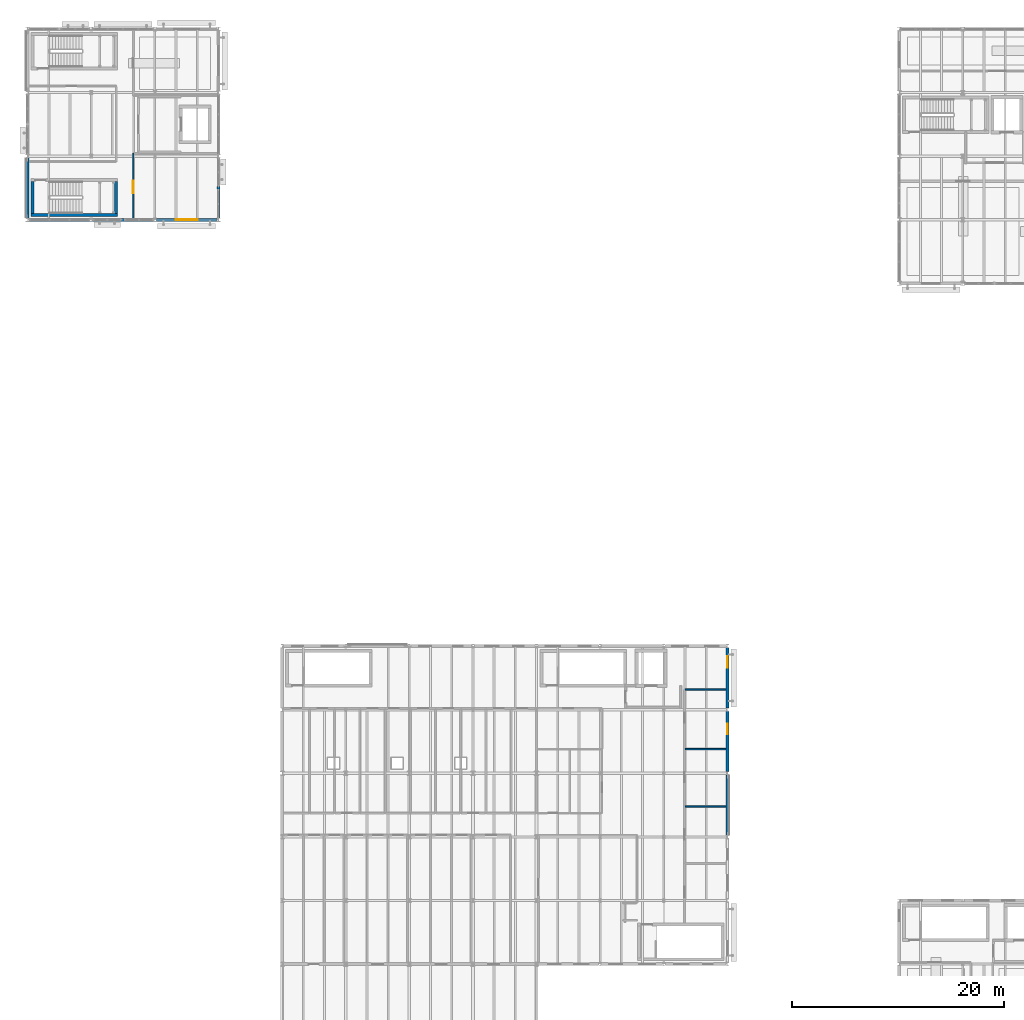
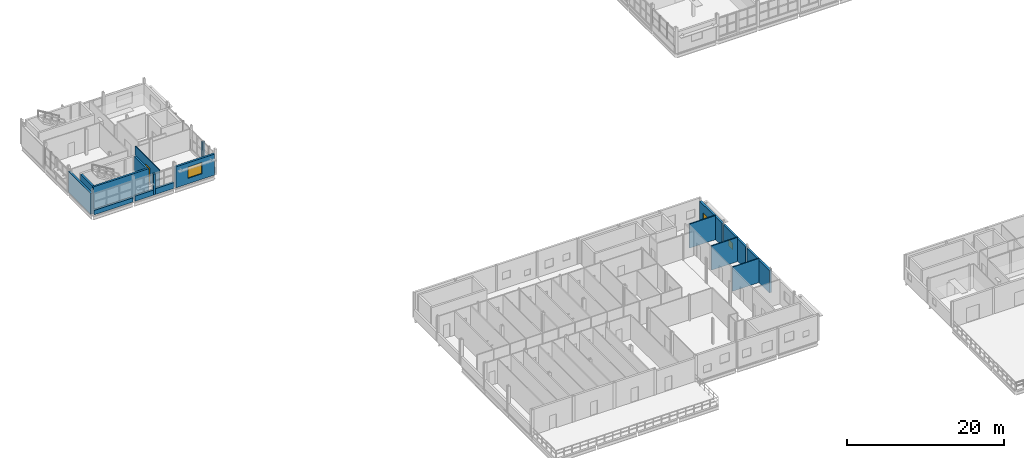
# One storey, part 36 of 45: 18 walls, 3 windows, 1 door, 4 openings.
"""IFC4 building model written with IfcOpenShell, lengths in metres."""

from ifc_helpers import new_model, si_unit, direction, frame, frame_2d, origin, place, context, subcontext, project, spatial, rectangle, extrude, material, layer, layer_set, type_object, element, fill, save


model = new_model("IFC4")

# Units and contexts
model_context = context("Model", 3, precision=1e-05, world=origin(), true_north=direction((0.0, 1.0)))
body_context = subcontext(model_context, "Body", "Model", "MODEL_VIEW")
ifc_project = project(units=[si_unit("LENGTHUNIT", "METRE"), si_unit("AREAUNIT", "SQUARE_METRE"), si_unit("VOLUMEUNIT", "CUBIC_METRE"), si_unit("PLANEANGLEUNIT", "RADIAN"), si_unit("MASSUNIT", "GRAM", prefix="KILO")], contexts=[model_context])

# Site, building, storey
site_placement = place(None, origin())
site = spatial("IfcSite", under=ifc_project, at=site_placement, CompositionType="ELEMENT")
building_placement = place(site_placement, origin())
building = spatial("IfcBuilding", under=site, at=building_placement, Name="Siltcreek Boulevard Central Fire Station", CompositionType="ELEMENT")
storey_placement = place(building_placement, frame((0.0, 0.0, 10.0)))
storey = spatial("IfcBuildingStorey", under=building, at=storey_placement, Name="L03", CompositionType="ELEMENT", Elevation=10.0)

# Walls
ifc_material_1 = material(Name="Concrete C40/50", Category="concrete")
ifc_layer_1 = layer(ifc_material_1, 0.280029296875, Name="Concrete C40/50")
ifc_layer_set_1 = layer_set([ifc_layer_1], Name="Concrete C40/50")
wall_type_1 = type_object("IfcWallType", Name="CW_SHEAR280", PredefinedType="SHEAR", material=ifc_layer_set_1)
wall_1_placement = place(storey_placement, frame((42.320068359375, 94.659912109375, 0.0), z_axis=(0.0, 0.0, 1.0), x_axis=(1.0, 0.0, 0.0)))
element("IfcWall", 1, at=wall_1_placement, inside=storey, type_object=wall_type_1, Name="L03 ST-V3A stair enclosure south shear wall", PredefinedType="SHEAR", context=body_context, shape_type="SweptSolid", body=[
    extrude(rectangle(XDim=8.159912109375, YDim=0.280029296875, at=frame_2d((4.080078125, 0.0))), origin(), (0.0, 0.0, 1.0), 4.0),
])
for number, where, z_axis, x_axis, name in (
    (2, (42.4599609375, 97.800048828125, 0.0), (0.0, 0.0, 1.0), (0.0, -1.0, 0.0), "L03 ST-V3A stair enclosure west shear wall"),
    (3, (50.340087890625, 94.800048828125, 0.0), (0.0, 0.0, 1.0), (0.0, 1.0, 0.0), "L03 ST-V3A stair enclosure east shear wall"),
):
    element("IfcWall", number, at=place(storey_placement, frame(where, z_axis=z_axis, x_axis=x_axis)), inside=storey, type_object=wall_type_1, Name=name, PredefinedType="SHEAR", context=body_context, shape_type="SweptSolid", body=[
        extrude(rectangle(XDim=3.0, YDim=0.280029296875, at=frame_2d((1.5, 0.0))), origin(), (0.0, 0.0, 1.0), 4.0),
    ])
ifc_material_2 = material(Name="White ribbed aluminum spandrel wall", Category="aluminium")
ifc_layer_2 = layer(ifc_material_2, 0.2900390625, Name="White ribbed aluminum spandrel wall")
ifc_layer_set_2 = layer_set([ifc_layer_2], Name="White ribbed aluminum spandrel wall")
wall_type_2 = type_object("IfcWallType", Name="EW_METAL290", PredefinedType="STANDARD", material=ifc_layer_set_2)
wall_2_placement = place(storey_placement, frame((108.0, 36.14501953125, 0.0), z_axis=(0.0, 0.0, 1.0), x_axis=(0.0, 1.0, 0.0)))
element("IfcWall", 4, at=wall_2_placement, inside=storey, type_object=wall_type_2, Name="L03 V2 exterior insulated rainscreen wall WL-EXT-L03-0102", PredefinedType="STANDARD", context=body_context, shape_type="SweptSolid", body=[
    extrude(rectangle(XDim=5.7099609375, YDim=0.2900390625, at=frame_2d((2.85498046875, 0.0))), origin(), (0.0, 0.0, 1.0), 3.506103515625),
])

# Wall, opening, window
wall_3_placement = place(storey_placement, frame((108.0, 42.14501953125, 0.0), z_axis=(0.0, 0.0, 1.0), x_axis=(0.0, 1.0, 0.0)))
wall_3 = element("IfcWall", 5, at=wall_3_placement, inside=storey, type_object=wall_type_2, Name="L03 V2 exterior insulated rainscreen wall WL-EXT-L03-0103", PredefinedType="STANDARD", context=body_context, shape_type="SweptSolid", body=[
    extrude(rectangle(XDim=5.7099609375, YDim=0.2900390625, at=frame_2d((2.85498046875, 0.0))), origin(), (0.0, 0.0, 1.0), 3.506103515625),
])
opening_1_placement = place(wall_3_placement, frame((3.525390625, 0.0, 0.860107421875)))
opening_1 = element("IfcOpeningElement", 6, at=opening_1_placement, cuts=wall_3, Name="Opening WN38", PredefinedType="OPENING", context=body_context, shape_type="SweptSolid", body=[
    extrude(rectangle(XDim=1.02001953125, YDim=1.02001953125, at=frame_2d((0.510009765625, 0.510009765625))), frame((0.0, 0.155029296875, 0.0), z_axis=(0.0, -1.0, 0.0), x_axis=(1.0, 0.0, 0.0)), (0.0, 0.0, 1.0), 0.31005859375),
])
ifc_material_3 = material(Name="Thermally broken aluminum frame with low-E insulated glass", Category="aluminium")
window_type_1 = type_object("IfcWindowType", Name="WN_SQ_102X102", PartitioningType="SINGLE_PANEL", PredefinedType="WINDOW", material=ifc_material_3)
window_1_placement = place(opening_1_placement, origin())
window_1 = element("IfcWindow", 7, at=window_1_placement, inside=storey, type_object=window_type_1, Name="L03 V2 square exterior window WN-0080", OverallHeight=1.02001953125, OverallWidth=1.02001953125, PartitioningType="SINGLE_PANEL", PredefinedType="WINDOW", context=body_context, shape_type="SweptSolid", body=[
    extrude(rectangle(XDim=1.02001953125, YDim=1.02001953125, at=frame_2d((0.510009765625, 0.510009765625))), frame((0.0, 0.030029296875, 0.0), z_axis=(0.0, -1.0, 0.0), x_axis=(1.0, 0.0, 0.0)), (0.0, 0.0, 1.0), 0.06005859375),
])
fill(opening_1, window_1)

wall_4_placement = place(storey_placement, frame((108.0, 48.14501953125, 0.0), z_axis=(0.0, 0.0, 1.0), x_axis=(0.0, 1.0, 0.0)))
wall_4 = element("IfcWall", 8, at=wall_4_placement, inside=storey, type_object=wall_type_2, Name="L03 V2 exterior insulated rainscreen wall WL-EXT-L03-0104", PredefinedType="STANDARD", context=body_context, shape_type="SweptSolid", body=[
    extrude(rectangle(XDim=5.7099609375, YDim=0.2900390625, at=frame_2d((2.85498046875, 0.0))), origin(), (0.0, 0.0, 1.0), 3.506103515625),
])
opening_2_placement = place(wall_4_placement, frame((3.816162109375, 0.0, 1.179931640625)))
opening_2 = element("IfcOpeningElement", 9, at=opening_2_placement, cuts=wall_4, Name="Opening WN05", PredefinedType="OPENING", context=body_context, shape_type="SweptSolid", body=[
    extrude(rectangle(XDim=1.080078125, YDim=1.080078125, at=frame_2d((0.5400390625, 0.5400390625))), frame((0.0, 0.155029296875, 0.0), z_axis=(0.0, -1.0, 0.0), x_axis=(1.0, 0.0, 0.0)), (0.0, 0.0, 1.0), 0.31005859375),
])
window_type_2 = type_object("IfcWindowType", Name="WN_SQ_108X108", PartitioningType="SINGLE_PANEL", PredefinedType="WINDOW", material=ifc_material_3)
window_2_placement = place(opening_2_placement, origin())
window_2 = element("IfcWindow", 10, at=window_2_placement, inside=storey, type_object=window_type_2, Name="L03 V2 square exterior window WN-0081", OverallHeight=1.080078125, OverallWidth=1.080078125, PartitioningType="SINGLE_PANEL", PredefinedType="WINDOW", context=body_context, shape_type="SweptSolid", body=[
    extrude(rectangle(XDim=1.080078125, YDim=1.080078125, at=frame_2d((0.5400390625, 0.5400390625))), frame((0.0, 0.030029296875, 0.0), z_axis=(0.0, -1.0, 0.0), x_axis=(1.0, 0.0, 0.0)), (0.0, 0.0, 1.0), 0.06005859375),
])
fill(opening_2, window_2)

# Walls
wall_5_placement = place(storey_placement, frame((42.14501953125, 94.199951171875, 0.0), z_axis=(0.0, 0.0, 1.0), x_axis=(1.0, 0.0, 0.0)))
element("IfcWall", 11, at=wall_5_placement, inside=storey, type_object=wall_type_2, Name="L03 V3 curtain-wall sill spandrel 0143", PredefinedType="STANDARD", context=body_context, shape_type="SweptSolid", body=[
    extrude(rectangle(XDim=5.7099609375, YDim=0.2900390625, at=frame_2d((2.85498046875, 0.0))), origin(), (0.0, 0.0, 1.0), 0.679931640625),
])
wall_6_placement = place(storey_placement, frame((50.860107421875, 94.199951171875, 0.0), z_axis=(0.0, 0.0, 1.0), x_axis=(1.0, 0.0, 0.0)))
element("IfcWall", 12, at=wall_6_placement, inside=storey, type_object=wall_type_2, Name="L03 V3 facade pier 0144", PredefinedType="STANDARD", context=body_context, shape_type="SweptSolid", body=[
    extrude(rectangle(XDim=0.27978515625, YDim=0.2900390625, at=frame_2d((0.139892578125, 0.0))), origin(), (0.0, 0.0, 1.0), 3.2490234375),
])
wall_7_placement = place(storey_placement, frame((48.14501953125, 94.199951171875, 0.0), z_axis=(0.0, 0.0, 1.0), x_axis=(1.0, 0.0, 0.0)))
element("IfcWall", 13, at=wall_7_placement, inside=storey, type_object=wall_type_2, Name="L03 V3 curtain-wall sill spandrel 0145", PredefinedType="STANDARD", context=body_context, shape_type="SweptSolid", body=[
    extrude(rectangle(XDim=2.715087890625, YDim=0.2900390625, at=frame_2d((1.357421875, 0.0))), origin(), (0.0, 0.0, 1.0), 0.800048828125),
])
wall_8_placement = place(storey_placement, frame((51.139892578125, 94.199951171875, 0.0), z_axis=(0.0, 0.0, 1.0), x_axis=(1.0, 0.0, 0.0)))
element("IfcWall", 14, at=wall_8_placement, inside=storey, type_object=wall_type_2, Name="L03 V3 curtain-wall sill spandrel 0146", PredefinedType="STANDARD", context=body_context, shape_type="SweptSolid", body=[
    extrude(rectangle(XDim=2.715087890625, YDim=0.2900390625, at=frame_2d((1.357421875, 0.0))), origin(), (0.0, 0.0, 1.0), 0.919921875),
])

# Wall, opening, window
wall_9_placement = place(storey_placement, frame((54.14501953125, 94.199951171875, 0.0), z_axis=(0.0, 0.0, 1.0), x_axis=(1.0, 0.0, 0.0)))
wall_9 = element("IfcWall", 15, at=wall_9_placement, inside=storey, type_object=wall_type_2, Name="L03 V3 exterior insulated rainscreen wall WL-EXT-L03-0147", PredefinedType="STANDARD", context=body_context, shape_type="SweptSolid", body=[
    extrude(rectangle(XDim=5.7099609375, YDim=0.2900390625, at=frame_2d((2.85498046875, 0.0))), origin(), (0.0, 0.0, 1.0), 3.2490234375),
])
opening_3_placement = place(wall_9_placement, frame((1.830078125, 0.0, 0.85009765625)))
opening_3 = element("IfcOpeningElement", 16, at=opening_3_placement, cuts=wall_9, Name="Opening WN21", PredefinedType="OPENING", context=body_context, shape_type="SweptSolid", body=[
    extrude(rectangle(XDim=2.050048828125, YDim=1.75, at=frame_2d((1.02490234375, 0.875))), frame((0.0, 0.155029296875, 0.0), z_axis=(0.0, -1.0, 0.0), x_axis=(1.0, 0.0, 0.0)), (0.0, 0.0, 1.0), 0.31005859375),
])
window_type_3 = type_object("IfcWindowType", Name="WN_PB_205X175", PartitioningType="SINGLE_PANEL", PredefinedType="WINDOW", material=ifc_material_3)
window_3_placement = place(opening_3_placement, origin())
window_3 = element("IfcWindow", 17, at=window_3_placement, inside=storey, type_object=window_type_3, Name="L03 V3 exterior window WN-0088", OverallHeight=1.75, OverallWidth=2.050048828125, PartitioningType="SINGLE_PANEL", PredefinedType="WINDOW", context=body_context, shape_type="SweptSolid", body=[
    extrude(rectangle(XDim=2.050048828125, YDim=1.75, at=frame_2d((1.02490234375, 0.875))), frame((0.0, 0.030029296875, 0.0), z_axis=(0.0, -1.0, 0.0), x_axis=(1.0, 0.0, 0.0)), (0.0, 0.0, 1.0), 0.06005859375),
])
fill(opening_3, window_3)

# Walls
wall_10_placement = place(storey_placement, frame((42.0, 100.054931640625, 0.0), z_axis=(0.0, 0.0, 1.0), x_axis=(0.0, -1.0, 0.0)))
element("IfcWall", 18, at=wall_10_placement, inside=storey, type_object=wall_type_2, Name="L03 V3 exterior insulated rainscreen wall WL-EXT-L03-0153", PredefinedType="STANDARD", context=body_context, shape_type="SweptSolid", body=[
    extrude(rectangle(XDim=5.7099609375, YDim=0.2900390625, at=frame_2d((2.85498046875, 0.0))), origin(), (0.0, 0.0, 1.0), 3.2529296875),
])
wall_11_placement = place(storey_placement, frame((60.0, 97.06005859375, 0.0), z_axis=(0.0, 0.0, 1.0), x_axis=(0.0, 1.0, 0.0)))
element("IfcWall", 19, at=wall_11_placement, inside=storey, type_object=wall_type_2, Name="L03 V3 facade pier 0158", PredefinedType="STANDARD", context=body_context, shape_type="SweptSolid", body=[
    extrude(rectangle(XDim=0.280029296875, YDim=0.2900390625, at=frame_2d((0.14013671875, 0.0))), origin(), (0.0, 0.0, 1.0), 3.2529296875),
])
wall_12_placement = place(storey_placement, frame((60.0, 94.344970703125, 0.0), z_axis=(0.0, 0.0, 1.0), x_axis=(0.0, 1.0, 0.0)))
element("IfcWall", 20, at=wall_12_placement, inside=storey, type_object=wall_type_2, Name="L03 V3 curtain-wall sill spandrel 0159", PredefinedType="STANDARD", context=body_context, shape_type="SweptSolid", body=[
    extrude(rectangle(XDim=2.715087890625, YDim=0.2900390625, at=frame_2d((1.357421875, 0.0))), origin(), (0.0, 0.0, 1.0), 0.919921875),
])
ifc_material_4 = material(Name="STC-55 insulated acoustic crew bunk partition", Category="gypsum")
ifc_layer_3 = layer(ifc_material_4, 0.14501953125, Name="STC-55 insulated acoustic crew bunk partition")
ifc_layer_set_3 = layer_set([ifc_layer_3], Name="STC-55 insulated acoustic crew bunk partition")
wall_type_3 = type_object("IfcWallType", Name="IW_BUNK145", PredefinedType="PARTITIONING", material=ifc_layer_set_3)
for number, where, z_axis, x_axis, name in (
    (21, (104.012451171875, 38.8798828125, 0.0), (0.0, 0.0, 1.0), (1.0, 0.0, 0.0), "L03 Duty Officer Bunk Suite 02 partition 0256"),
    (22, (104.012451171875, 44.280029296875, 0.0), (0.0, 0.0, 1.0), (1.0, 0.0, 0.0), "L03 Duty Officer Bunk Suite 03 partition 0258"),
    (23, (104.012451171875, 49.8798828125, 0.0), (0.0, 0.0, 1.0), (1.0, 0.0, 0.0), "L03 Duty Officer Bunk Suite 04 partition 0260"),
):
    element("IfcWall", number, at=place(storey_placement, frame(where, z_axis=z_axis, x_axis=x_axis)), inside=storey, type_object=wall_type_3, Name=name, PredefinedType="PARTITIONING", context=body_context, shape_type="SweptSolid", body=[
        extrude(rectangle(XDim=3.842529296875, YDim=0.14501953125, at=frame_2d((1.92138671875, 0.0))), origin(), (0.0, 0.0, 1.0), 3.739990234375),
    ])

# Wall, opening, door
ifc_material_5 = material(Name="Interior steel stud gypsum partition", Category="steel")
ifc_layer_4 = layer(ifc_material_5, 0.125, Name="Interior steel stud gypsum partition")
ifc_layer_set_4 = layer_set([ifc_layer_4], Name="Interior steel stud gypsum partition")
wall_type_4 = type_object("IfcWallType", Name="IW_PART125", PredefinedType="PARTITIONING", material=ifc_layer_set_4)
wall_13_placement = place(storey_placement, frame((51.9599609375, 94.344970703125, 0.0), z_axis=(0.0, 0.0, 1.0), x_axis=(0.0, 1.0, 0.0)))
wall_13 = element("IfcWall", 24, at=wall_13_placement, inside=storey, type_object=wall_type_4, Name="L03 Aerial Ladder Bailout Room L03 partition 0278", PredefinedType="PARTITIONING", context=body_context, shape_type="SweptSolid", body=[
    extrude(rectangle(XDim=6.137451171875, YDim=0.125, at=frame_2d((3.06884765625, 0.0))), origin(), (0.0, 0.0, 1.0), 3.39892578125),
])
opening_4_placement = place(wall_13_placement, frame((2.3779296875, 0.0, 0.0)))
opening_4 = element("IfcOpeningElement", 25, at=opening_4_placement, cuts=wall_13, Name="Opening ID06", PredefinedType="OPENING", context=body_context, shape_type="SweptSolid", body=[
    extrude(rectangle(XDim=1.159912109375, YDim=2.199951171875, at=frame_2d((0.580078125, 1.10009765625))), frame((0.0, 0.072509765625, 0.0), z_axis=(0.0, -1.0, 0.0), x_axis=(1.0, 0.0, 0.0)), (0.0, 0.0, 1.0), 0.14501953125),
])
ifc_material_6 = material(Name="Glazed simulation laboratory door")
door_type = type_object("IfcDoorType", Name="DR_LAB_116X220", OperationType="NOTDEFINED", PredefinedType="DOOR", material=ifc_material_6)
door_placement = place(opening_4_placement, frame((1.159912109375, 0.0, 0.0), z_axis=(0.0, 0.0, 1.0), x_axis=(-1.0, 0.0, 0.0)))
door = element("IfcDoor", 26, at=door_placement, inside=storey, type_object=door_type, Name="L03 Aerial Ladder Bailout Room L03 door ID-0122", OperationType="SINGLE_SWING_LEFT", OverallHeight=2.199951171875, OverallWidth=1.159912109375, PredefinedType="DOOR", context=body_context, shape_type="SweptSolid", body=[
    extrude(rectangle(XDim=1.159912109375, YDim=2.199951171875, at=frame_2d((0.580078125, 1.10009765625))), frame((0.0, 0.02490234375, 0.0), z_axis=(0.0, -1.0, 0.0), x_axis=(1.0, 0.0, 0.0)), (0.0, 0.0, 1.0), 0.050048828125),
])
fill(opening_4, door)

save(model, "model.ifc")
